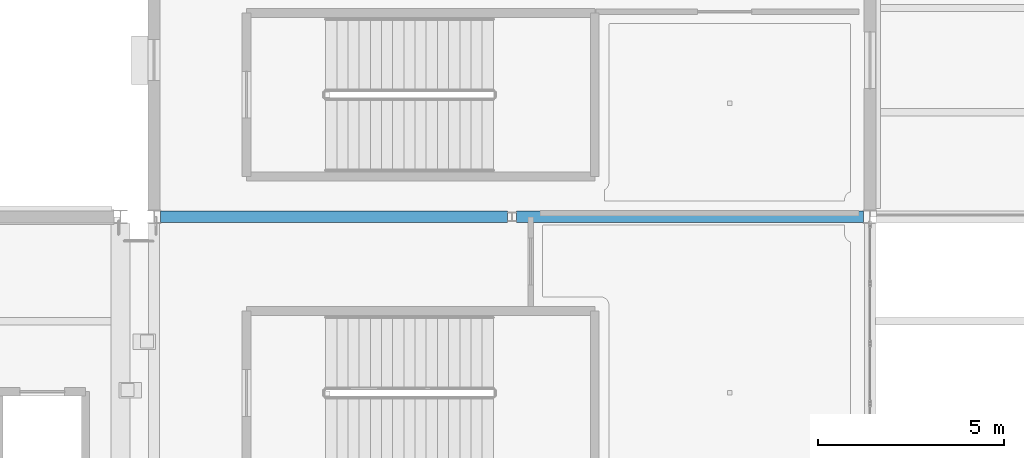
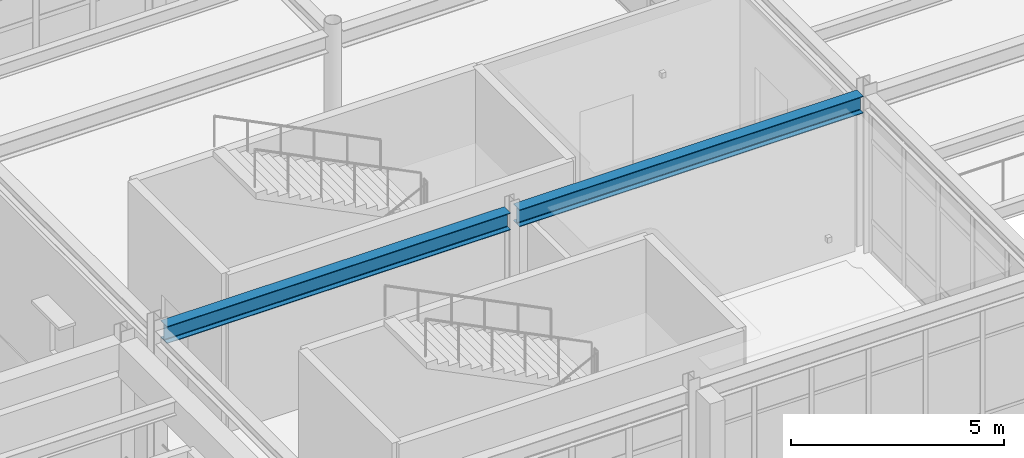
# One storey, part 32 of 139: 2 beams.
"""IFC4 building model written with IfcOpenShell, lengths in metres."""

from ifc_helpers import new_model, si_unit, direction, frame, origin, origin_2d, place, context, subcontext, project, spatial, i_section, extrude, material, material_profile, profile_set, type_object, element, save


model = new_model("IFC4")

# Units and contexts
model_context = context("Model", 3, precision=1e-05, world=origin(), true_north=direction((0.0, 1.0)))
body_context = subcontext(model_context, "Body", "Model", "MODEL_VIEW")
ifc_project = project(units=[si_unit("LENGTHUNIT", "METRE"), si_unit("AREAUNIT", "SQUARE_METRE"), si_unit("VOLUMEUNIT", "CUBIC_METRE"), si_unit("PLANEANGLEUNIT", "RADIAN"), si_unit("MASSUNIT", "GRAM", prefix="KILO")], contexts=[model_context])

# Site, building, storey
site_placement = place(None, origin())
site = spatial("IfcSite", under=ifc_project, at=site_placement, CompositionType="ELEMENT")
building_placement = place(site_placement, origin())
building = spatial("IfcBuilding", under=site, at=building_placement, Name="Canglan Escarpment Cableway Terminal", CompositionType="ELEMENT")
storey_placement = place(building_placement, frame((0.0, 0.0, 14.39990234375)))
storey = spatial("IfcBuildingStorey", under=building, at=storey_placement, Name="L03", CompositionType="ELEMENT", Elevation=14.39990234375)

# Beams
ifc_material = material(Name="Steel Q355B", Category="steel")
ifc_material_profile = material_profile(ifc_material, i_section(OverallWidth=0.300048828125, OverallDepth=0.488037109375, WebThickness=0.010986328125, FlangeThickness=0.01806640625, FilletRadius=0.02587890625, at=origin_2d()), Name="HM 488x300x11x18")
ifc_profile_set = profile_set([ifc_material_profile], Name="Steel Q355B")
beam_type = type_object("IfcBeamType", Name="BM-HM488", PredefinedType="BEAM", material=ifc_profile_set)
for number, where, z_axis, x_axis, name in (
    (1, (147.375, 16.39990234375, 4.256103515625), (1.0, 0.0, 0.0), (0.0, 1.0, 0.0), "Primary structural girder B-09"),
    (2, (156.925048828125, 16.39990234375, 4.256103515625), (1.0, 0.0, 0.0), (0.0, 1.0, 0.0), "Primary structural girder B-09"),
):
    element("IfcBeam", number, at=place(storey_placement, frame(where, z_axis=z_axis, x_axis=x_axis)), inside=storey, type_object=beam_type, Name=name, PredefinedType="BEAM", context=body_context, shape_type="SweptSolid", body=[
        extrude(i_section(OverallWidth=0.300048828125, OverallDepth=0.488037109375, WebThickness=0.010986328125, FlangeThickness=0.01806640625, FilletRadius=0.02587890625, at=origin_2d()), origin(), (0.0, 0.0, 1.0), 9.300048828125),
    ])

save(model, "model.ifc")
